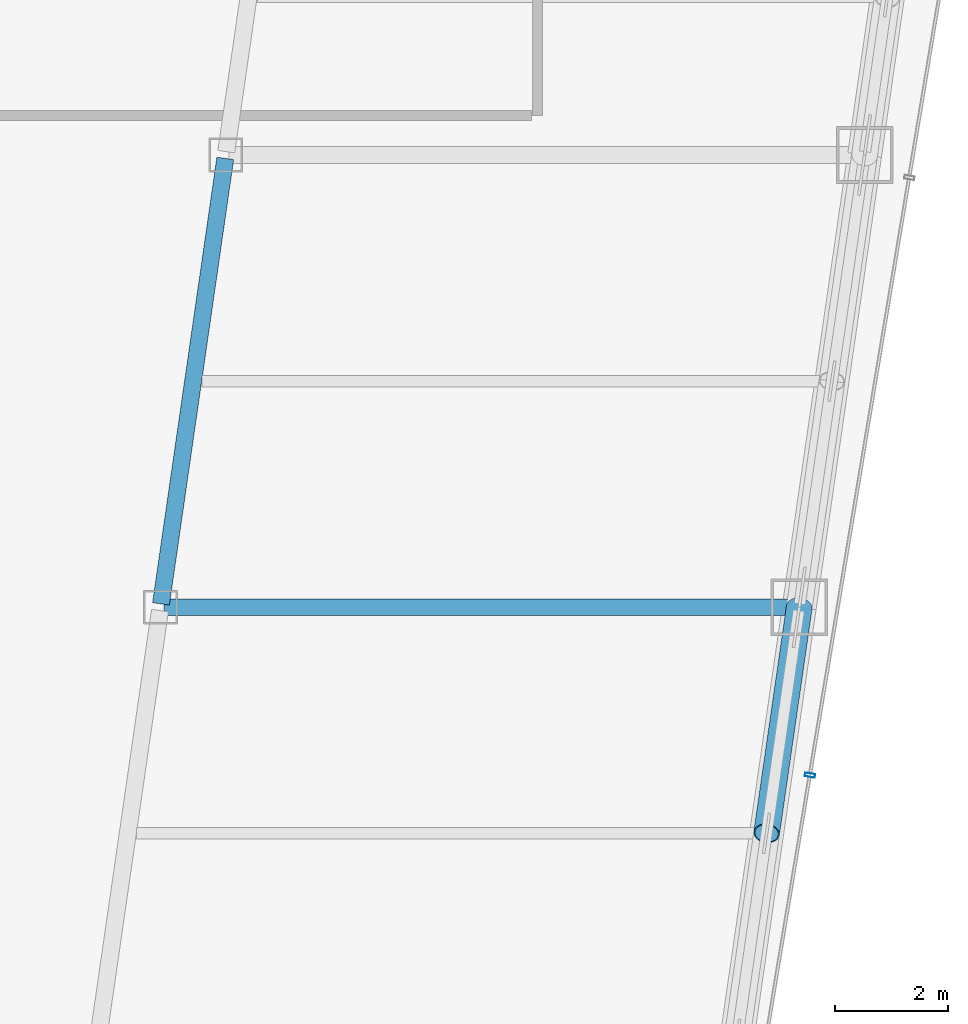
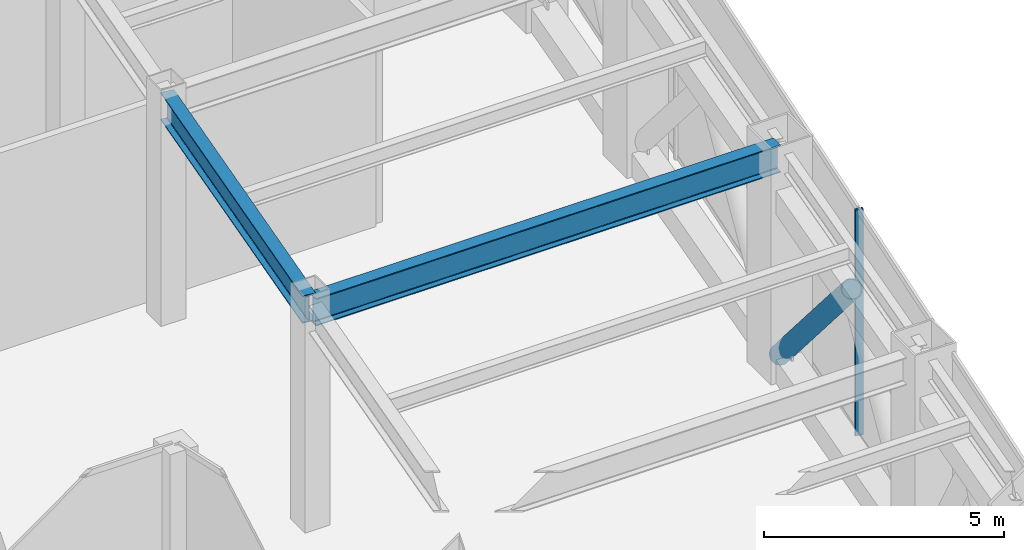
# One storey, part 13 of 30: 2 beams, 2 members, 1 element without a shape of its own.
"""IFC4 building model written with IfcOpenShell, lengths in metres."""

from ifc_helpers import new_model, si_unit, direction, frame, origin, origin_2d, place, context, subcontext, project, spatial, hollow_rectangle, hollow_circle, i_section, extrude, material, material_profile, profile_set, type_object, element, aggregate, save


model = new_model("IFC4")

# Units and contexts
model_context = context("Model", 3, precision=1e-05, world=origin(), true_north=direction((0.0, 1.0)))
body_context = subcontext(model_context, "Body", "Model", "MODEL_VIEW")
ifc_project = project(units=[si_unit("LENGTHUNIT", "METRE"), si_unit("AREAUNIT", "SQUARE_METRE"), si_unit("VOLUMEUNIT", "CUBIC_METRE"), si_unit("PLANEANGLEUNIT", "RADIAN"), si_unit("MASSUNIT", "GRAM", prefix="KILO")], contexts=[model_context])

# Site, building, storey
site_placement = place(None, origin())
site = spatial("IfcSite", under=ifc_project, at=site_placement, CompositionType="ELEMENT")
building_placement = place(site_placement, origin())
building = spatial("IfcBuilding", under=site, at=building_placement, Name="Saevonmaru Cultural Tower", CompositionType="ELEMENT")
storey_placement = place(building_placement, frame((0.0, 0.0, 123.60009765625)))
storey = spatial("IfcBuildingStorey", under=building, at=storey_placement, Name="L26", CompositionType="ELEMENT", Elevation=123.60009765625)

# Beams
ifc_material_1 = material(Name="Steel SM355", Category="steel")
ifc_material_profile_1 = material_profile(ifc_material_1, i_section(OverallWidth=0.300048828125, OverallDepth=0.699951171875, WebThickness=0.012939453125, FlangeThickness=0.02392578125, FilletRadius=0.02587890625, at=origin_2d()), Name="H-700x300x13x24")
ifc_profile_set_1 = profile_set([ifc_material_profile_1], Name="Steel SM355")
beam_type = type_object("IfcBeamType", Name="BM-G-H700", PredefinedType="BEAM", material=ifc_profile_set_1)
beam_1_placement = place(storey_placement, frame((39.236572265625, 24.059326171875, 5.39990234375), z_axis=(0.142902032203, 0.989736838353, 0.0), x_axis=(-0.989736838353, 0.142902032203, 0.0)))
element("IfcBeam", 1, at=beam_1_placement, inside=storey, type_object=beam_type, Name="L26 East Atrium Girder 3", PredefinedType="BEAM", context=body_context, shape_type="SweptSolid", body=[
    extrude(i_section(OverallWidth=0.300048828125, OverallDepth=0.699951171875, WebThickness=0.012939453125, FlangeThickness=0.02392578125, FilletRadius=0.02587890625, at=origin_2d()), origin(), (0.0, 0.0, 1.0), 7.963134765625),
])
beam_2_placement = place(storey_placement, frame((39.2880859375, 24.0, 5.39990234375), z_axis=(1.0, 0.0, 0.0), x_axis=(0.0, 1.0, 0.0)))
element("IfcBeam", 2, at=beam_2_placement, inside=storey, type_object=beam_type, Name="L26 East Wing Transverse Girder 3", PredefinedType="BEAM", context=body_context, shape_type="SweptSolid", body=[
    extrude(i_section(OverallWidth=0.300048828125, OverallDepth=0.699951171875, WebThickness=0.012939453125, FlangeThickness=0.02392578125, FilletRadius=0.02587890625, at=origin_2d()), origin(), (0.0, 0.0, 1.0), 11.179931640625),
])

# Member
ifc_material_2 = material(Name="Steel SM420", Category="steel")
ifc_material_profile_2 = material_profile(ifc_material_2, hollow_circle(Radius=0.228515625, WallThickness=0.02001953125, at=origin_2d()), Name="CHS-457.2x20")
ifc_profile_set_2 = profile_set([ifc_material_profile_2], Name="Steel SM420")
member_type_1 = type_object("IfcMemberType", Name="MB-BBR-CHS457", PredefinedType="BRACE", material=ifc_profile_set_2)
member_1_placement = place(storey_placement, frame((50.528076171875, 24.0, 0.2998046875), z_axis=(-0.097966677563, -0.677823498816, 0.72866853544), x_axis=(0.989716197255, -0.143044919135, 0.0)))
element("IfcMember", 3, at=member_1_placement, inside=storey, type_object=member_type_1, Name="L26 Belt Truss Diagonal BE2-2", PredefinedType="BRACE", context=body_context, shape_type="SweptSolid", body=[
    extrude(hollow_circle(Radius=0.228515625, WallThickness=0.02001953125, at=origin_2d()), origin(), (0.0, 0.0, 1.0), 5.901123046875),
])

# Curtain wall, member
ifc_material_3 = material(Name="Satin Bronze Anodised Aluminium", Category="aluminium")
curtain_wall_type = type_object("IfcCurtainWallType", Name="CW-TYP-A", PredefinedType="NOTDEFINED", material=ifc_material_3)
curtain_wall_placement = place(storey_placement, origin())
curtain_wall = element("IfcCurtainWall", 4, at=curtain_wall_placement, inside=storey, type_object=curtain_wall_type, Name="L26 Wind-Floor Acoustic Louvre Screen E8", PredefinedType="NOTDEFINED")
ifc_material_profile_3 = material_profile(ifc_material_3, hollow_rectangle(XDim=0.06494140625, YDim=0.179931640625, WallThickness=0.00390625, at=origin_2d()), Name="ALU-MULL-180x65x4")
ifc_profile_set_3 = profile_set([ifc_material_profile_3], Name="Satin Bronze Anodised Aluminium")
member_type_2 = type_object("IfcMemberType", Name="ML-CW-180x65", PredefinedType="MULLION", material=ifc_profile_set_3)
member_2_placement = place(storey_placement, frame((50.71826171875, 21.029541015625, 0.0), z_axis=(0.0, 0.0, 1.0), x_axis=(0.163998702345, 0.986460554523, 0.0)))
member_2 = element("IfcMember", 5, at=member_2_placement, type_object=member_type_2, Name="CW-TW-L26-E8 mullion 2", PredefinedType="MULLION", context=body_context, shape_type="SweptSolid", body=[
    extrude(hollow_rectangle(XDim=0.06494140625, YDim=0.179931640625, WallThickness=0.00390625, at=origin_2d()), origin(), (0.0, 0.0, 1.0), 5.75),
])
aggregate(curtain_wall, [member_2])

save(model, "model.ifc")
